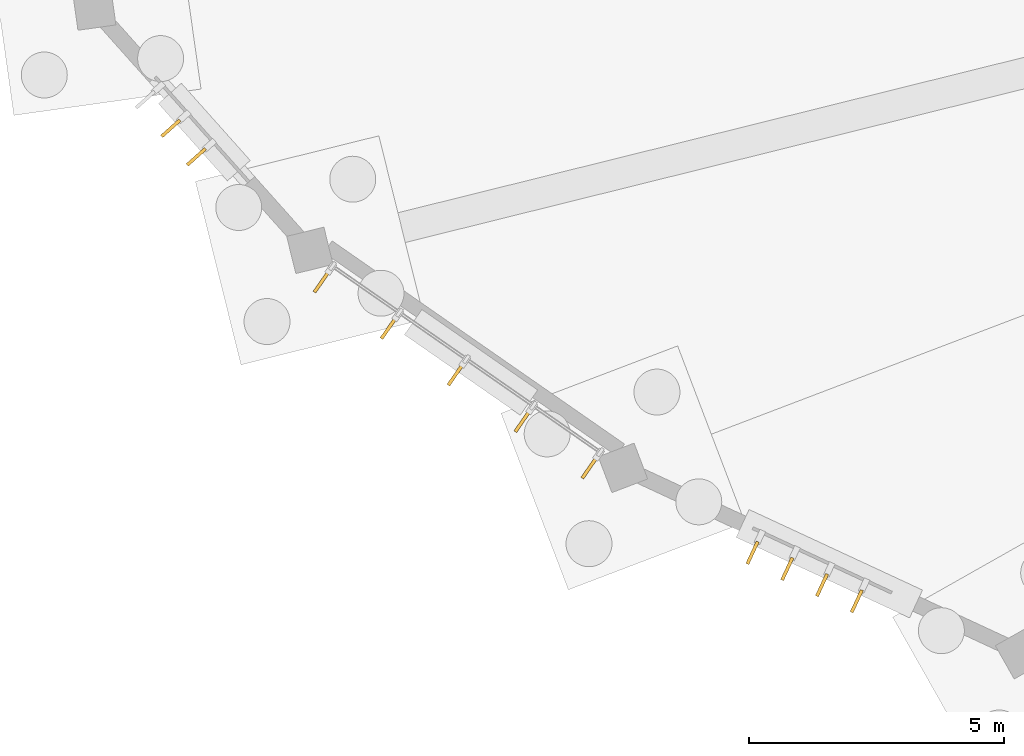
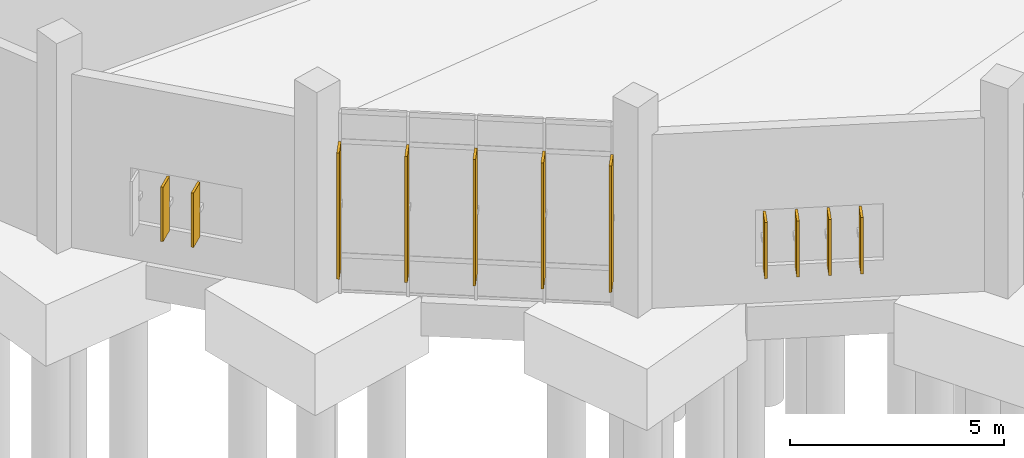
# One storey, part 120 of 140: 11 shading devices.
"""IFC4 building model written with IfcOpenShell, lengths in metres."""

from ifc_helpers import new_model, si_unit, direction, frame, origin, origin_2d, place, context, subcontext, project, spatial, rectangle, extrude, material, type_object, element, save


model = new_model("IFC4")

# Units and contexts
model_context = context("Model", 3, precision=1e-05, world=origin(), true_north=direction((0.0, 1.0)))
body_context = subcontext(model_context, "Body", "Model", "MODEL_VIEW")
ifc_project = project(units=[si_unit("LENGTHUNIT", "METRE"), si_unit("AREAUNIT", "SQUARE_METRE"), si_unit("VOLUMEUNIT", "CUBIC_METRE"), si_unit("PLANEANGLEUNIT", "RADIAN"), si_unit("MASSUNIT", "GRAM", prefix="KILO")], contexts=[model_context])

# Site, building, storey
site_placement = place(None, origin())
site = spatial("IfcSite", under=ifc_project, at=site_placement, CompositionType="ELEMENT")
building_placement = place(site_placement, origin())
building = spatial("IfcBuilding", under=site, at=building_placement, Name="Corvandel Quay Wholesale Market", CompositionType="ELEMENT")
storey_placement = place(building_placement, origin())
storey = spatial("IfcBuildingStorey", under=building, at=storey_placement, Name="L00", CompositionType="ELEMENT", Elevation=0.0)

# Shading devices
ifc_material = material(Name="Bronze anodised extruded aluminium 6063-T6", Category="aluminium")
shading_device_type = type_object("IfcShadingDeviceType", Name="Vertical Anodised Bronze Solar Fin FN01 480mm", PredefinedType="JALOUSIE", material=ifc_material)
for number, where, z_axis, x_axis, name in (
    (1, (61.65087890625, 106.07470703125, 1.0498046875), (0.0, 0.0, 1.0), (0.746289766155, 0.665621202286, 0.0), "Solar Fin 0279"),
    (2, (62.150146484375, 105.514892578125, 1.0498046875), (0.0, 0.0, 1.0), (0.746289766155, 0.665621202286, 0.0), "Solar Fin 0280"),
):
    element("IfcShadingDevice", number, at=place(storey_placement, frame(where, z_axis=z_axis, x_axis=x_axis)), inside=storey, type_object=shading_device_type, Name=name, PredefinedType="JALOUSIE", context=body_context, shape_type="SweptSolid", body=[
        extrude(rectangle(XDim=0.47998046875, YDim=0.06494140625, at=origin_2d()), origin(), (0.0, 0.0, 1.0), 1.550048828125),
    ])
for number, where, z_axis, x_axis, name in (
    (3, (64.599609375, 103.063720703125, 0.77490234375), (0.0, 0.0, 1.0), (0.570570241419, 0.821248804935, 0.0), "Solar Fin 0286"),
    (4, (65.91015625, 102.1533203125, 0.77490234375), (0.0, 0.0, 1.0), (0.570570241419, 0.821248804935, 0.0), "Solar Fin 0287"),
    (5, (67.220703125, 101.242919921875, 0.77490234375), (0.0, 0.0, 1.0), (0.570570241419, 0.821248804935, 0.0), "Solar Fin 0288"),
    (6, (68.53125, 100.33251953125, 0.77490234375), (0.0, 0.0, 1.0), (0.570570241419, 0.821248804935, 0.0), "Solar Fin 0289"),
    (7, (69.841796875, 99.422119140625, 0.77490234375), (0.0, 0.0, 1.0), (0.570570241419, 0.821248804935, 0.0), "Solar Fin 0290"),
):
    element("IfcShadingDevice", number, at=place(storey_placement, frame(where, z_axis=z_axis, x_axis=x_axis)), inside=storey, type_object=shading_device_type, Name=name, PredefinedType="JALOUSIE", context=body_context, shape_type="SweptSolid", body=[
        extrude(rectangle(XDim=0.47998046875, YDim=0.06494140625, at=origin_2d()), origin(), (0.0, 0.0, 1.0), 3.60009765625),
    ])
for number, where, z_axis, x_axis, name in (
    (8, (73.03759765625, 97.763427734375, 1.050048828125), (0.0, 0.0, 1.0), (0.421194115999, 0.906970515865, 0.0), "Solar Fin 0293"),
    (9, (73.718017578125, 97.447509765625, 1.050048828125), (0.0, 0.0, 1.0), (0.421194115999, 0.906970515865, 0.0), "Solar Fin 0294"),
    (10, (74.398193359375, 97.131591796875, 1.050048828125), (0.0, 0.0, 1.0), (0.421194115999, 0.906970515865, 0.0), "Solar Fin 0295"),
    (11, (75.078369140625, 96.81591796875, 1.050048828125), (0.0, 0.0, 1.0), (0.421194115999, 0.906970515865, 0.0), "Solar Fin 0296"),
):
    element("IfcShadingDevice", number, at=place(storey_placement, frame(where, z_axis=z_axis, x_axis=x_axis)), inside=storey, type_object=shading_device_type, Name=name, PredefinedType="JALOUSIE", context=body_context, shape_type="SweptSolid", body=[
        extrude(rectangle(XDim=0.47998046875, YDim=0.06494140625, at=origin_2d()), origin(), (0.0, 0.0, 1.0), 1.60009765625),
    ])

save(model, "model.ifc")
